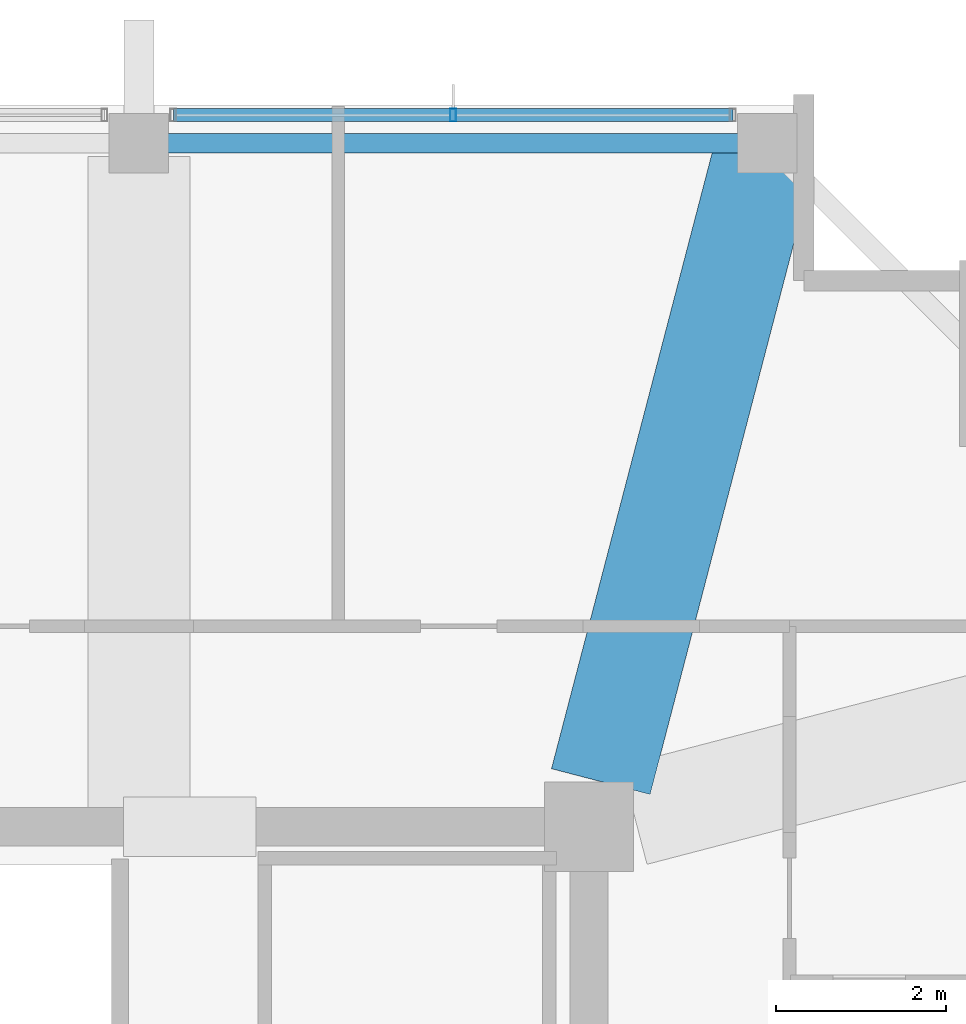
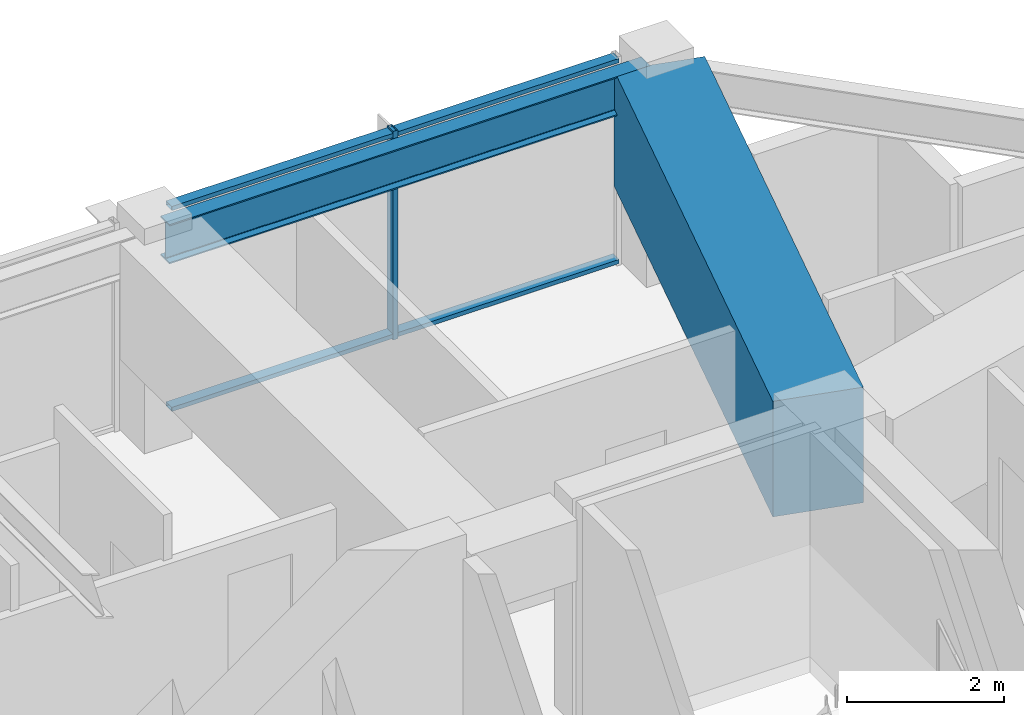
# One storey, part 17 of 31: 3 members, 2 beams, 1 element without a shape of its own.
"""IFC4 building model written with IfcOpenShell, lengths in metres."""

from ifc_helpers import new_model, si_unit, direction, frame, origin, origin_2d, place, context, subcontext, project, spatial, rectangle, hollow_rectangle, i_section, extrude, material, material_profile, profile_set, type_object, element, aggregate, save


model = new_model("IFC4")

# Units and contexts
model_context = context("Model", 3, precision=1e-05, world=origin(), true_north=direction((0.0, 1.0)))
body_context = subcontext(model_context, "Body", "Model", "MODEL_VIEW")
ifc_project = project(units=[si_unit("LENGTHUNIT", "METRE"), si_unit("AREAUNIT", "SQUARE_METRE"), si_unit("VOLUMEUNIT", "CUBIC_METRE"), si_unit("PLANEANGLEUNIT", "RADIAN"), si_unit("MASSUNIT", "GRAM", prefix="KILO")], contexts=[model_context])

# Site, building, storey
site_placement = place(None, origin())
site = spatial("IfcSite", under=ifc_project, at=site_placement, CompositionType="ELEMENT")
building_placement = place(site_placement, origin())
building = spatial("IfcBuilding", under=site, at=building_placement, Name="Kolvaren Belvedere", CompositionType="ELEMENT")
storey_placement = place(building_placement, frame((0.0, 0.0, 237.39990234375)))
storey = spatial("IfcBuildingStorey", under=building, at=storey_placement, Name="L69", CompositionType="ELEMENT", Elevation=237.39990234375)

# Beams
ifc_material_1 = material(Name="Structural steel ASTM A992 Grade 50", Category="steel")
ifc_material_profile_1 = material_profile(ifc_material_1, i_section(OverallWidth=0.22900390625, OverallDepth=0.612060546875, WebThickness=0.011962890625, FlangeThickness=0.01953125, FilletRadius=0.01806640625, at=origin_2d()), Name="W24X84")
ifc_profile_set_1 = profile_set([ifc_material_profile_1], Name="Structural steel ASTM A992 Grade 50")
beam_type_1 = type_object("IfcBeamType", Name="BM-SPAN-W24X84", PredefinedType="SPANDREL", material=ifc_profile_set_1)
beam_1_placement = place(storey_placement, frame((11.842529296875, 17.949951171875, 2.944091796875), z_axis=(-1.0, 0.0, 0.0), x_axis=(0.0, -1.0, 0.0)))
element("IfcBeam", 1, at=beam_1_placement, inside=storey, type_object=beam_type_1, Name="L69 Perimeter Spandrel N4-N3", PredefinedType="SPANDREL", context=body_context, shape_type="SweptSolid", body=[
    extrude(i_section(OverallWidth=0.22900390625, OverallDepth=0.612060546875, WebThickness=0.011962890625, FlangeThickness=0.01953125, FilletRadius=0.01806640625, at=origin_2d()), origin(), (0.0, 0.0, 1.0), 7.0849609375),
])
ifc_material_2 = material(Name="Concrete C50/60", Category="concrete")
ifc_material_profile_2 = material_profile(ifc_material_2, rectangle(XDim=1.199951171875, YDim=1.800048828125, at=origin_2d()), Name="RC 1200X1800")
ifc_profile_set_2 = profile_set([ifc_material_profile_2], Name="Concrete C50/60")
beam_type_2 = type_object("IfcBeamType", Name="BM-TG-1800", PredefinedType="BEAM", material=ifc_profile_set_2)
beam_2_placement = place(storey_placement, frame((10.038818359375, 10.43212890625, 2.35009765625), z_axis=(0.25241668651, 0.967618631679, 0.0), x_axis=(-0.967618631679, 0.25241668651, 0.0)))
element("IfcBeam", 2, at=beam_2_placement, inside=storey, type_object=beam_type_2, Name="L69 Corner Core-to-Perimeter Girder CC3-N4", PredefinedType="BEAM", context=body_context, shape_type="SweptSolid", body=[
    extrude(rectangle(XDim=1.199951171875, YDim=1.800048828125, at=origin_2d()), origin(), (0.0, 0.0, 1.0), 7.62939453125),
])

# Curtain wall, members
ifc_material_3 = material(Name="Anodised pale-metal aluminium AA 6063-T6", Category="aluminium")
curtain_wall_type = type_object("IfcCurtainWallType", Name="CW-Z5-HIGH", PredefinedType="NOTDEFINED", material=ifc_material_3)
curtain_wall_placement = place(storey_placement, origin())
curtain_wall = element("IfcCurtainWall", 3, at=curtain_wall_placement, inside=storey, type_object=curtain_wall_type, Name="L69 Unitised Curtain Wall FCW-L69-N-B3", PredefinedType="NOTDEFINED")
ifc_material_4 = material(Name="Anodised pale-metal aluminium AA 6063-T6", Category="aluminium")
ifc_material_profile_3 = material_profile(ifc_material_4, hollow_rectangle(XDim=0.070068359375, YDim=0.14990234375, WallThickness=0.004150390625, at=origin_2d()), Name="ALU-MUL-150X70")
ifc_profile_set_3 = profile_set([ifc_material_profile_3], Name="Anodised pale-metal aluminium AA 6063-T6")
member_type_1 = type_object("IfcMemberType", Name="CW-MUL-150", PredefinedType="MULLION", material=ifc_profile_set_3)
member_1_placement = place(storey_placement, frame((8.300048828125, 18.280029296875, 0.0), z_axis=(0.0, 0.0, 1.0), x_axis=(1.0, 0.0, 0.0)))
member_1 = element("IfcMember", 4, at=member_1_placement, type_object=member_type_1, Name="FCW-L69-N-B3 Unitised Mullion 2", PredefinedType="MULLION", context=body_context, shape_type="SweptSolid", body=[
    extrude(hollow_rectangle(XDim=0.070068359375, YDim=0.14990234375, WallThickness=0.004150390625, at=origin_2d()), origin(), (0.0, 0.0, 1.0), 3.25),
])
ifc_material_5 = material(Name="Anodised pale-metal aluminium AA 6063-T6", Category="aluminium")
ifc_material_profile_4 = material_profile(ifc_material_5, hollow_rectangle(XDim=0.06494140625, YDim=0.14990234375, WallThickness=0.00390625, at=origin_2d()), Name="ALU-TRN-150X65")
ifc_profile_set_4 = profile_set([ifc_material_profile_4], Name="Anodised pale-metal aluminium AA 6063-T6")
member_type_2 = type_object("IfcMemberType", Name="CW-TRN-150", PredefinedType="USERDEFINED", material=ifc_profile_set_4)
member_2_placement = place(storey_placement, frame((5.0048828125, 18.280029296875, 0.06005859375), z_axis=(1.0, 0.0, 0.0), x_axis=(0.0, 0.0, 1.0)))
member_2 = element("IfcMember", 5, at=member_2_placement, type_object=member_type_2, Name="FCW-L69-N-B3 Sill Transom", ObjectType="TRANSOM", PredefinedType="USERDEFINED", context=body_context, shape_type="SweptSolid", body=[
    extrude(hollow_rectangle(XDim=0.06494140625, YDim=0.14990234375, WallThickness=0.00390625, at=origin_2d()), origin(), (0.0, 0.0, 1.0), 6.590087890625),
])
member_3_placement = place(storey_placement, frame((5.0048828125, 18.280029296875, 3.190185546875), z_axis=(1.0, 0.0, 0.0), x_axis=(0.0, 0.0, 1.0)))
member_3 = element("IfcMember", 6, at=member_3_placement, type_object=member_type_2, Name="FCW-L69-N-B3 Head Transom", ObjectType="TRANSOM", PredefinedType="USERDEFINED", context=body_context, shape_type="SweptSolid", body=[
    extrude(hollow_rectangle(XDim=0.06494140625, YDim=0.14990234375, WallThickness=0.00390625, at=origin_2d()), origin(), (0.0, 0.0, 1.0), 6.590087890625),
])
aggregate(curtain_wall, [member_1, member_2, member_3])

save(model, "model.ifc")
